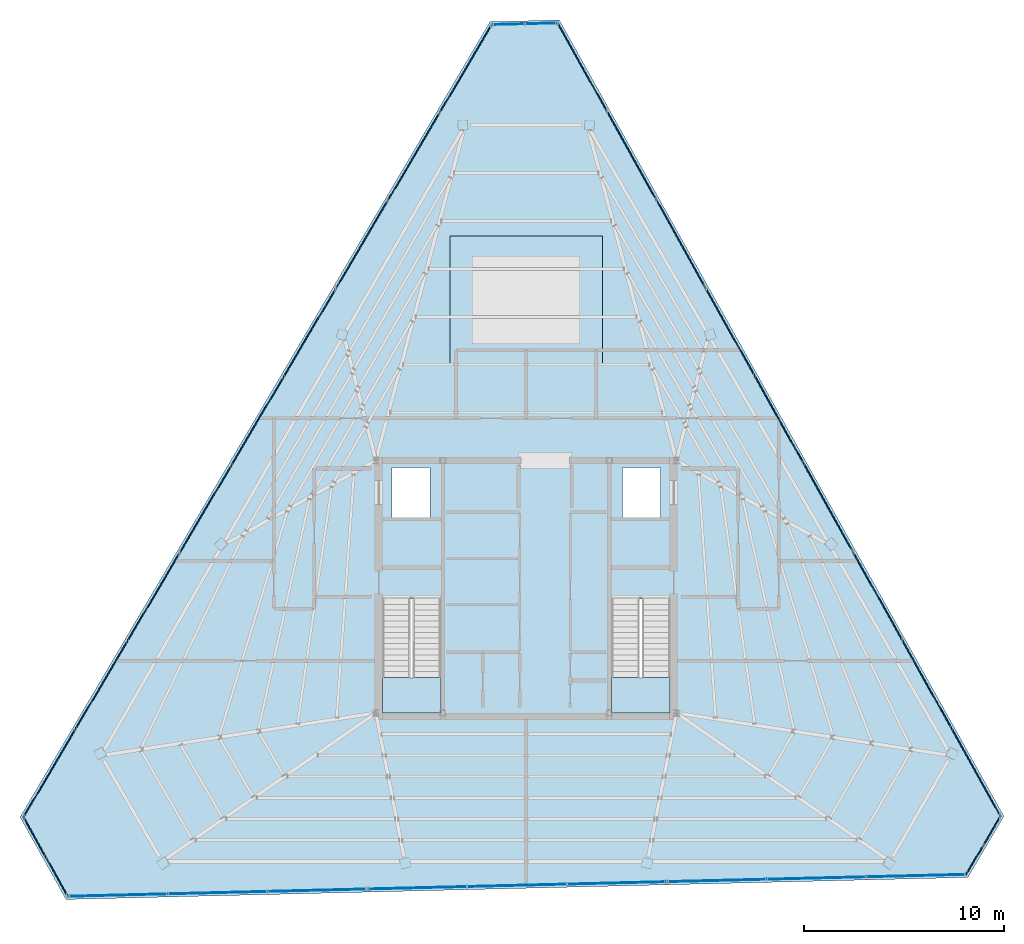
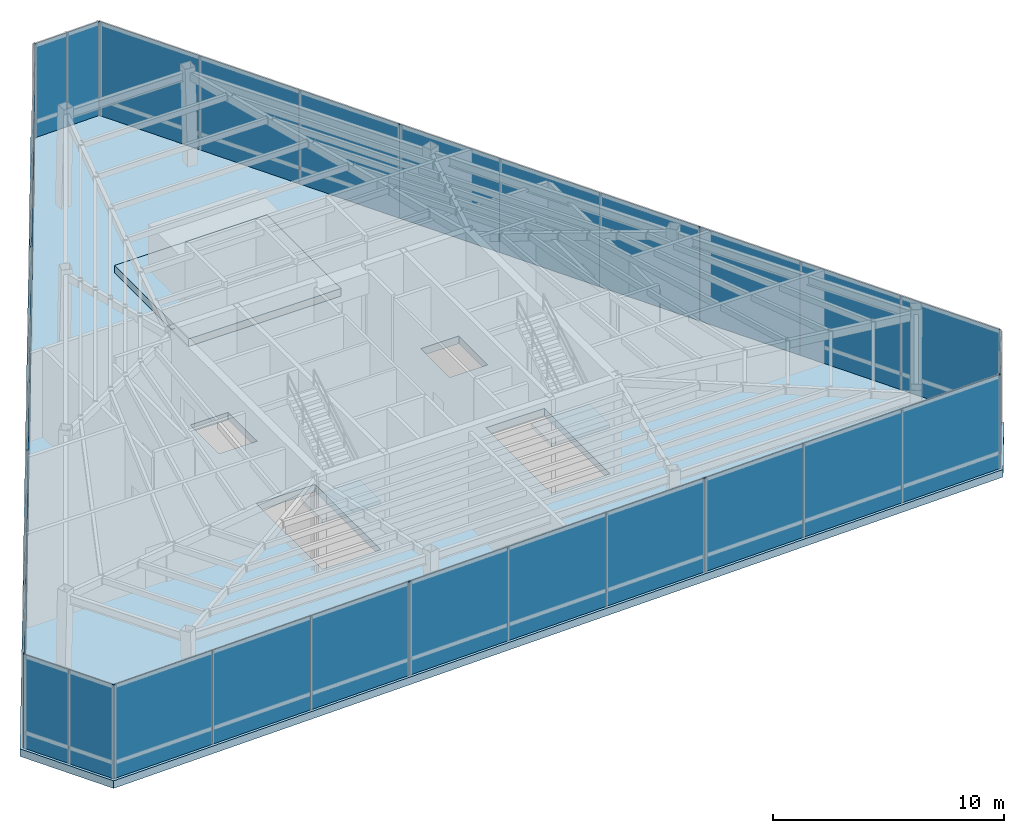
# One storey, part 18 of 25: 33 plates, 4 slabs, 14 elements without a shape of their own.
"""IFC4 building model written with IfcOpenShell, lengths in metres."""

import ifcopenshell
import ifcopenshell.guid

model = None  # the IFC model being written
_history = None  # IfcOwnerHistory: only IFC2X3 demands one
_inside = {}  # id of a spatial element -> (the spatial element, [elements in it])
_under = {}  # id of a project, library or spatial element -> (it, [spatial elements below it])
_declared = {}  # id of a project -> (the project, [libraries it declares])
_typed = {}  # id of a type object -> (the type object, [elements of that type])
_made_of = {}  # id of a material, layer set ... -> (it, [elements and type objects made of it])


def new_model(schema):
    """Start an empty IFC model of exactly this schema.

    Asked for "IFC4X3", IfcOpenShell would pick the latest addendum, in which some entities
    have other attributes; the version numbers below select the first issue.
    IFC2X3 requires an IfcOwnerHistory on every rooted entity: one is made here for all.
    """
    global model, _history
    if schema == "IFC4X3":
        model = ifcopenshell.file(schema_version=(4, 3, 0, 0))
    else:
        model = ifcopenshell.file(schema=schema)
    _inside.clear()
    _under.clear()
    _declared.clear()
    _typed.clear()
    _made_of.clear()
    _history = None
    if model.schema == "IFC2X3":
        org = make("IfcOrganization", Name="unknown")
        user = make(
            "IfcPersonAndOrganization",
            ThePerson=make("IfcPerson", FamilyName="unknown"),
            TheOrganization=org,
        )
        app = make(
            "IfcApplication",
            ApplicationDeveloper=org,
            Version="unknown",
            ApplicationFullName="unknown",
            ApplicationIdentifier="unknown",
        )
        _history = make(
            "IfcOwnerHistory",
            OwningUser=user,
            OwningApplication=app,
            ChangeAction="ADDED",
            CreationDate=0,
        )
    return model


def make(cls, **values):
    """One entity of the class cls with the attributes given. An attribute that is None is left unset."""
    return model.create_entity(
        cls, **{name: value for name, value in values.items() if value is not None}
    )


def rooted(cls, **values):
    """An entity with a GlobalId (a new one), such as an element, a storey or a relation."""
    return make(cls, GlobalId=ifcopenshell.guid.new(), OwnerHistory=_history, **values)


def si_unit(unit_type, name, prefix=None):
    """IfcSIUnit, for example si_unit("LENGTHUNIT", "METRE", prefix="MILLI")."""
    return make("IfcSIUnit", UnitType=unit_type, Prefix=prefix, Name=name)


def assignment(units):
    """IfcUnitAssignment: the units of a project."""
    return None if units is None else make("IfcUnitAssignment", Units=units)


def point(xyz):
    """IfcCartesianPoint."""
    return None if xyz is None else make("IfcCartesianPoint", Coordinates=xyz)


def direction(xyz):
    """IfcDirection."""
    return None if xyz is None else make("IfcDirection", DirectionRatios=xyz)


def frame(location, z_axis=None, x_axis=None):
    """IfcAxis2Placement3D, a coordinate frame: its origin and axes. An axis left out is left unset."""
    return make(
        "IfcAxis2Placement3D",
        Location=point(location),
        Axis=direction(z_axis),
        RefDirection=direction(x_axis),
    )


def frame_2d(location, x_axis=None):
    """IfcAxis2Placement2D, a coordinate frame in the plane: its origin and x axis."""
    return make(
        "IfcAxis2Placement2D", Location=point(location), RefDirection=direction(x_axis)
    )


def origin():
    """The frame at (0, 0, 0) with its axes left unset."""
    return frame((0.0, 0.0, 0.0))


def origin_2d():
    """The frame at (0, 0) in the plane with its x axis left unset."""
    return frame_2d((0.0, 0.0))


def place(relative_to, where):
    """IfcLocalPlacement: puts the frame where relative to a parent placement (None: the world)."""
    return make(
        "IfcLocalPlacement", PlacementRelTo=relative_to, RelativePlacement=where
    )


def context(
    kind, dimensions, precision=None, world=None, true_north=None, identifier=None
):
    """IfcGeometricRepresentationContext, for example the 3D "Model" context."""
    return make(
        "IfcGeometricRepresentationContext",
        ContextIdentifier=identifier,
        ContextType=kind,
        CoordinateSpaceDimension=dimensions,
        Precision=precision,
        WorldCoordinateSystem=world,
        TrueNorth=true_north,
    )


def subcontext(parent, identifier, kind, view, scale=None):
    """IfcGeometricRepresentationSubContext, for example "Body" below "Model"."""
    return make(
        "IfcGeometricRepresentationSubContext",
        ContextIdentifier=identifier,
        ContextType=kind,
        ParentContext=parent,
        TargetScale=scale,
        TargetView=view,
    )


def project(units=None, contexts=None):
    """IfcProject with its units and contexts."""
    return rooted(
        "IfcProject",
        Name="project",
        RepresentationContexts=contexts,
        UnitsInContext=assignment(units),
    )


def spatial(cls, under=None, at=None, **own):
    """A site, building, storey or space (cls), placed at a placement, below another one or the project."""
    s = rooted(cls, ObjectPlacement=at, **own)
    if under is not None:
        _under.setdefault(under.id(), (under, []))[1].append(s)
    return s


def polyline(points):
    """IfcPolyline through the points."""
    return make("IfcPolyline", Points=[point(p) for p in points])


def profile(cls, at=None, kind="AREA", **sizes):
    """A parametric profile (cls). Its sizes go by their IFC names, for example OverallWidth=200.0."""
    return make(cls, ProfileType=kind, Position=at, **sizes)


def rectangle(**sizes):
    """IfcRectangleProfileDef."""
    return profile("IfcRectangleProfileDef", **sizes)


def outline(outer, holes=None, kind="AREA"):
    """IfcArbitraryClosedProfileDef: a profile drawn as a closed curve; with holes, ...WithVoids."""
    if holes is None:
        return make("IfcArbitraryClosedProfileDef", ProfileType=kind, OuterCurve=outer)
    return make(
        "IfcArbitraryProfileDefWithVoids",
        ProfileType=kind,
        OuterCurve=outer,
        InnerCurves=holes,
    )


def extrude(swept, where, along, depth):
    """IfcExtrudedAreaSolid: the profile swept, set in the frame where, extruded along a direction by depth."""
    return make(
        "IfcExtrudedAreaSolid",
        SweptArea=swept,
        Position=where,
        ExtrudedDirection=direction(along),
        Depth=depth,
    )


def shape(context_of_items, identifier, shape_type, items):
    """IfcShapeRepresentation: the items that make up one representation, for example the "Body"."""
    return make(
        "IfcShapeRepresentation",
        ContextOfItems=context_of_items,
        RepresentationIdentifier=identifier,
        RepresentationType=shape_type,
        Items=items,
    )


def source(mapping_origin, context_of_items, identifier, shape_type, items):
    """IfcRepresentationMap: a shape defined once, which mapped items show again and again."""
    return make(
        "IfcRepresentationMap",
        MappingOrigin=mapping_origin,
        MappedRepresentation=shape(context_of_items, identifier, shape_type, items),
    )


def transform(
    local_origin,
    x_axis=None,
    y_axis=None,
    z_axis=None,
    scale=None,
    scale2=None,
    scale3=None,
    uniform=True,
):
    """IfcCartesianTransformationOperator3D, or its non-uniform kind. x_axis, y_axis, z_axis: its Axis1, 2, 3."""
    if uniform:
        return make(
            "IfcCartesianTransformationOperator3D",
            Axis1=direction(x_axis),
            Axis2=direction(y_axis),
            LocalOrigin=point(local_origin),
            Scale=scale,
            Axis3=direction(z_axis),
        )
    return make(
        "IfcCartesianTransformationOperator3DnonUniform",
        Axis1=direction(x_axis),
        Axis2=direction(y_axis),
        LocalOrigin=point(local_origin),
        Scale=scale,
        Axis3=direction(z_axis),
        Scale2=scale2,
        Scale3=scale3,
    )


def mapped(mapping_source, mapping_target):
    """IfcMappedItem: shows the shape of a source again, moved by a transform."""
    return make(
        "IfcMappedItem", MappingSource=mapping_source, MappingTarget=mapping_target
    )


def material(Name=None, Category=None):
    """IfcMaterial."""
    return make("IfcMaterial", Name=Name, Category=Category)


def layer(
    of_material, thickness, ventilated=None, Name=None, Category=None, Priority=None
):
    """IfcMaterialLayer: one layer of a wall or slab, of a material (None: an air gap)."""
    return make(
        "IfcMaterialLayer",
        Material=of_material,
        LayerThickness=thickness,
        IsVentilated=ventilated,
        Name=Name,
        Category=Category,
        Priority=Priority,
    )


def layer_set(layers, Name=None):
    """IfcMaterialLayerSet."""
    return make("IfcMaterialLayerSet", MaterialLayers=layers, LayerSetName=Name)


def made_of(thing, what):
    """Note that an element or type object is made of a material, layer set ...; save() writes the relation."""
    if what is not None:
        _made_of.setdefault(what.id(), (what, []))[1].append(thing)
    return thing


def type_object(cls, material=None, **own):
    """A type object (cls), such as IfcWallType, which elements share."""
    return made_of(rooted(cls, **own), material)


def type_shapes(of_type, sources):
    """Give a type object the sources (RepresentationMaps) that its elements show as mapped items."""
    of_type.RepresentationMaps = sources


def element(
    cls,
    number,
    at=None,
    inside=None,
    cuts=None,
    type_object=None,
    material=None,
    context=None,
    identifier="Body",
    shape_type=None,
    held_by="IfcProductDefinitionShape",
    body=None,
    shapes=None,
    **own,
):
    """One element of the class cls, such as IfcWall. Its Tag is "e" and its number.

    at: its placement. inside: the storey or other place that contains it. cuts: it is an
    opening in that element (IfcRelVoidsElement). A single representation is given by context,
    identifier, shape_type and body (its items); several are given by shapes. held_by: the class
    of the entity that holds the representations. save() writes the other relations.
    """
    e = rooted(cls, Tag="e%d" % number, ObjectPlacement=at, **own)
    if body is not None:
        shapes = [shape(context, identifier, shape_type, body)]
    if shapes is not None:
        e.Representation = make(held_by, Representations=shapes)
    if inside is not None:
        _inside.setdefault(inside.id(), (inside, []))[1].append(e)
    if cuts is not None:
        rooted(
            "IfcRelVoidsElement", RelatingBuildingElement=cuts, RelatedOpeningElement=e
        )
    if type_object is not None:
        _typed.setdefault(type_object.id(), (type_object, []))[1].append(e)
    return made_of(e, material)


def aggregate(whole, parts):
    """IfcRelAggregates: a whole, such as a stair, and the parts it consists of."""
    return rooted("IfcRelAggregates", RelatingObject=whole, RelatedObjects=parts)


def save(model, path):
    """Write the relations noted so far, then the file.

    IfcRelAggregates (storeys below a building ...), IfcRelContainedInSpatialStructure (elements
    in a storey), IfcRelDefinesByType, IfcRelAssociatesMaterial and IfcRelDeclares: one each for
    every whole, place, type object, material and project.
    """
    for whole, parts in _under.values():
        aggregate(whole, parts)
    for where, things in _inside.values():
        rooted(
            "IfcRelContainedInSpatialStructure",
            RelatedElements=things,
            RelatingStructure=where,
        )
    for kind, things in _typed.values():
        rooted("IfcRelDefinesByType", RelatedObjects=things, RelatingType=kind)
    for what, things in _made_of.values():
        rooted("IfcRelAssociatesMaterial", RelatedObjects=things, RelatingMaterial=what)
    for by, libraries in _declared.values():
        rooted("IfcRelDeclares", RelatingContext=by, RelatedDefinitions=libraries)
    model.write(path)


model = new_model("IFC4")

# Units and contexts
model_context = context("Model", 3, precision=1e-05, world=origin(), true_north=direction((0.0, 1.0)))
body_context = subcontext(model_context, "Body", "Model", "MODEL_VIEW")
ifc_project = project(units=[si_unit("LENGTHUNIT", "METRE"), si_unit("AREAUNIT", "SQUARE_METRE"), si_unit("VOLUMEUNIT", "CUBIC_METRE"), si_unit("PLANEANGLEUNIT", "RADIAN"), si_unit("MASSUNIT", "GRAM", prefix="KILO")], contexts=[model_context])

# Site, building, storey
site_placement = place(None, origin())
site = spatial("IfcSite", under=ifc_project, at=site_placement, CompositionType="ELEMENT")
building_placement = place(site_placement, origin())
building = spatial("IfcBuilding", under=site, at=building_placement, Name="Caelisora Broadcast Tower", CompositionType="ELEMENT")
storey_placement = place(building_placement, frame((0.0, 0.0, 284.60009765625)))
storey = spatial("IfcBuildingStorey", under=building, at=storey_placement, Name="L75", CompositionType="ELEMENT", Elevation=284.60009765625)

# Slabs
ifc_material_1 = material(Name="Concrete 50 MPa (AS 3600 S50)", Category="concrete")
ifc_layer_1 = layer(ifc_material_1, 0.39990234375, Name="Concrete 50 MPa (AS 3600 S50)")
ifc_layer_set_1 = layer_set([ifc_layer_1], Name="Concrete 50 MPa (AS 3600 S50)")
slab_type_1 = type_object("IfcSlabType", Name="SL03", PredefinedType="FLOOR", material=ifc_layer_set_1)
slab_1_placement = place(storey_placement, frame((0.0, 0.0, -0.400146484375)))
element("IfcSlab", 1, at=slab_1_placement, inside=storey, type_object=slab_type_1, Name="L75 suspended floor SL03", PredefinedType="FLOOR", context=body_context, shape_type="SweptSolid", body=[
    extrude(outline(polyline([(39.657958984375, 51.98095703125), (36.196044921875, 51.89697265625), (12.741943359375, 12.202880859375), (15.037109375, 8.092041015625), (60.04296875, 9.18994140625), (61.846923828125, 12.243896484375), (39.657958984375, 51.98095703125)]), holes=[polyline([(30.820068359375, 17.39990234375), (33.739990234375, 17.39990234375), (33.739990234375, 23.080078125), (30.820068359375, 23.080078125), (30.820068359375, 17.39990234375)]), polyline([(42.260009765625, 17.39990234375), (45.179931640625, 17.39990234375), (45.179931640625, 23.080078125), (42.260009765625, 23.080078125), (42.260009765625, 17.39990234375)]), polyline([(42.800048828125, 27.14990234375), (44.699951171875, 27.14990234375), (44.699951171875, 29.64990234375), (42.800048828125, 29.64990234375), (42.800048828125, 27.14990234375)]), polyline([(31.300048828125, 27.14990234375), (33.199951171875, 27.14990234375), (33.199951171875, 29.64990234375), (31.300048828125, 29.64990234375), (31.300048828125, 27.14990234375)])]), origin(), (0.0, 0.0, 1.0), 0.400146484375),
])
slab_2_placement = place(storey_placement, origin())
element("IfcSlab", 2, at=slab_2_placement, inside=storey, type_object=slab_type_1, Name="L75 tuned mass damper snubber plinth SL03", PredefinedType="FLOOR", context=body_context, shape_type="SweptSolid", body=[
    extrude(outline(polyline([(34.199951171875, 34.800048828125), (41.800048828125, 34.800048828125), (41.800048828125, 41.199951171875), (34.199951171875, 41.199951171875), (34.199951171875, 34.800048828125)])), origin(), (0.0, 0.0, 1.0), 0.39990234375),
])

# Stair, slab
ifc_material_2 = material(Name="Concrete 40 MPa (AS 3600 N40)", Category="concrete")
stair_type_1 = type_object("IfcStairType", Name="ST-1", PredefinedType="HALF_TURN_STAIR", material=ifc_material_2)
stair_1_placement = place(storey_placement, origin())
stair_1 = element("IfcStair", 3, at=stair_1_placement, inside=storey, type_object=stair_type_1, Name="L75 West Fire-Isolated Tower Stair", PredefinedType="HALF_TURN_STAIR")
ifc_layer_2 = layer(ifc_material_2, 0.199951171875, Name="Concrete 40 MPa (AS 3600 N40)")
ifc_layer_set_2 = layer_set([ifc_layer_2], Name="Concrete 40 MPa (AS 3600 N40)")
slab_type_2 = type_object("IfcSlabType", Name="STL-1", PredefinedType="LANDING", material=ifc_layer_set_2)
slab_3_placement = place(storey_placement, frame((0.0, 0.0, 2.39990234375)))
slab_3 = element("IfcSlab", 4, at=slab_3_placement, type_object=slab_type_2, Name="ST-1 landing 1", PredefinedType="LANDING", context=body_context, shape_type="SweptSolid", body=[
    extrude(outline(polyline([(30.820068359375, 19.179931640625), (30.820068359375, 17.39990234375), (33.739990234375, 17.39990234375), (33.739990234375, 19.179931640625), (30.820068359375, 19.179931640625)])), origin(), (0.0, 0.0, 1.0), 0.199951171875),
])
aggregate(stair_1, [slab_3])

stair_type_2 = type_object("IfcStairType", Name="ST-2", PredefinedType="HALF_TURN_STAIR", material=ifc_material_2)
stair_2_placement = place(storey_placement, origin())
stair_2 = element("IfcStair", 5, at=stair_2_placement, inside=storey, type_object=stair_type_2, Name="L75 East Fire-Isolated Tower Stair", PredefinedType="HALF_TURN_STAIR")
slab_4_placement = place(storey_placement, frame((0.0, 0.0, 2.39990234375)))
slab_4 = element("IfcSlab", 6, at=slab_4_placement, type_object=slab_type_2, Name="ST-2 landing 1", PredefinedType="LANDING", context=body_context, shape_type="SweptSolid", body=[
    extrude(outline(polyline([(42.260009765625, 19.179931640625), (42.260009765625, 17.39990234375), (45.179931640625, 17.39990234375), (45.179931640625, 19.179931640625), (42.260009765625, 19.179931640625)])), origin(), (0.0, 0.0, 1.0), 0.199951171875),
])
aggregate(stair_2, [slab_4])

# Curtain wall, plates
ifc_material_3 = material(Name="Unitised Aluminium and Low-E Glass Curtain Wall", Category="glass")
curtain_wall_type = type_object("IfcCurtainWallType", Name="CW-TMD", PredefinedType="NOTDEFINED", material=ifc_material_3)
curtain_wall_1_placement = place(storey_placement, origin())
curtain_wall_1 = element("IfcCurtainWall", 7, at=curtain_wall_1_placement, inside=storey, type_object=curtain_wall_type, Name="L75 curtain wall CW-TMD", PredefinedType="NOTDEFINED")
ifc_material_4 = material(Name="Double Glazed Low-E Argon IGU", Category="glass")
ifc_layer_3 = layer(ifc_material_4, 0.0458984375, Name="Double Glazed Low-E Argon IGU")
ifc_layer_set_3 = layer_set([ifc_layer_3], Name="Double Glazed Low-E Argon IGU")
plate_type = type_object("IfcPlateType", Name="CWP-09", PredefinedType="CURTAIN_PANEL", material=ifc_layer_set_3)
shared_shape_1 = source(origin(), body_context, "Body", "SweptSolid", [
    extrude(rectangle(XDim=5.03564453125, YDim=0.0458984375, at=origin_2d()), origin(), (0.0, 0.0, 1.0), 4.949951171875),
])
plate_1_placement = place(storey_placement, frame((40.798583984375, 49.630615234375, 0.0), z_axis=(0.0, 0.0, 1.0), x_axis=(0.487554922136, -0.873092319232, 0.0)))
plate_1 = element("IfcPlate", 8, at=plate_1_placement, type_object=plate_type, Name="L75-CW-B01 glazed panel #1", PredefinedType="CURTAIN_PANEL", context=body_context, shape_type="MappedRepresentation", body=[
    mapped(shared_shape_1, transform((0.0, 0.0, 0.0), scale=1.0)),
])
plate_2_placement = place(storey_placement, frame((43.253662109375, 45.23388671875, 0.0), z_axis=(0.0, 0.0, 1.0), x_axis=(0.487554922136, -0.873092319232, 0.0)))
plate_2 = element("IfcPlate", 9, at=plate_2_placement, type_object=plate_type, Name="L75-CW-B01 glazed panel #2", PredefinedType="CURTAIN_PANEL", context=body_context, shape_type="MappedRepresentation", body=[
    mapped(shared_shape_1, transform((0.0, 0.0, 0.0), scale=1.0)),
])
plate_3_placement = place(storey_placement, frame((45.708740234375, 40.83740234375, 0.0), z_axis=(0.0, 0.0, 1.0), x_axis=(0.487554922136, -0.873092319232, 0.0)))
plate_3 = element("IfcPlate", 10, at=plate_3_placement, type_object=plate_type, Name="L75-CW-B01 glazed panel #3", PredefinedType="CURTAIN_PANEL", context=body_context, shape_type="MappedRepresentation", body=[
    mapped(shared_shape_1, transform((0.0, 0.0, 0.0), scale=1.0)),
])
aggregate(curtain_wall_1, [plate_1, plate_2, plate_3])

curtain_wall_2_placement = place(storey_placement, origin())
curtain_wall_2 = element("IfcCurtainWall", 11, at=curtain_wall_2_placement, inside=storey, type_object=curtain_wall_type, Name="L75 curtain wall CW-TMD", PredefinedType="NOTDEFINED")
plate_4_placement = place(storey_placement, frame((55.536376953125, 23.237548828125, 0.0), z_axis=(0.0, 0.0, 1.0), x_axis=(0.487554922136, -0.873092319232, 0.0)))
plate_4 = element("IfcPlate", 12, at=plate_4_placement, type_object=plate_type, Name="L75-CW-B03 glazed panel #1", PredefinedType="CURTAIN_PANEL", context=body_context, shape_type="MappedRepresentation", body=[
    mapped(shared_shape_1, transform((0.0, 0.0, 0.0), scale=1.0)),
])
plate_5_placement = place(storey_placement, frame((57.991455078125, 18.841064453125, 0.0), z_axis=(0.0, 0.0, 1.0), x_axis=(0.487554922136, -0.873092319232, 0.0)))
plate_5 = element("IfcPlate", 13, at=plate_5_placement, type_object=plate_type, Name="L75-CW-B03 glazed panel #2", PredefinedType="CURTAIN_PANEL", context=body_context, shape_type="MappedRepresentation", body=[
    mapped(shared_shape_1, transform((0.0, 0.0, 0.0), scale=1.0)),
])
plate_6_placement = place(storey_placement, frame((60.446533203125, 14.4443359375, 0.0), z_axis=(0.0, 0.0, 1.0), x_axis=(0.487554922136, -0.873092319232, 0.0)))
plate_6 = element("IfcPlate", 14, at=plate_6_placement, type_object=plate_type, Name="L75-CW-B03 glazed panel #3", PredefinedType="CURTAIN_PANEL", context=body_context, shape_type="MappedRepresentation", body=[
    mapped(shared_shape_1, transform((0.0, 0.0, 0.0), scale=1.0)),
])
aggregate(curtain_wall_2, [plate_4, plate_5, plate_6])

curtain_wall_3_placement = place(storey_placement, origin())
curtain_wall_3 = element("IfcCurtainWall", 15, at=curtain_wall_3_placement, inside=storey, type_object=curtain_wall_type, Name="L75 curtain wall CW-TMD", PredefinedType="NOTDEFINED")
shared_shape_2 = source(origin(), body_context, "Body", "SweptSolid", [
    extrude(rectangle(XDim=5.033935546875, YDim=0.0458984375, at=origin_2d()), origin(), (0.0, 0.0, 1.0), 4.949951171875),
])
plate_7_placement = place(storey_placement, frame((48.168212890625, 36.4326171875, 0.0), z_axis=(0.0, 0.0, 1.0), x_axis=(0.487554922136, -0.873092319232, 0.0)))
plate_7 = element("IfcPlate", 16, at=plate_7_placement, type_object=plate_type, Name="L75-CW-B02 glazed panel #1", PredefinedType="CURTAIN_PANEL", context=body_context, shape_type="MappedRepresentation", body=[
    mapped(shared_shape_2, transform((0.0, 0.0, 0.0), scale=1.0)),
])
plate_8_placement = place(storey_placement, frame((50.62255859375, 32.03759765625, 0.0), z_axis=(0.0, 0.0, 1.0), x_axis=(0.487554922136, -0.873092319232, 0.0)))
plate_8 = element("IfcPlate", 17, at=plate_8_placement, type_object=plate_type, Name="L75-CW-B02 glazed panel #2", PredefinedType="CURTAIN_PANEL", context=body_context, shape_type="MappedRepresentation", body=[
    mapped(shared_shape_2, transform((0.0, 0.0, 0.0), scale=1.0)),
])
plate_9_placement = place(storey_placement, frame((53.076904296875, 27.642333984375, 0.0), z_axis=(0.0, 0.0, 1.0), x_axis=(0.487554922136, -0.873092319232, 0.0)))
plate_9 = element("IfcPlate", 18, at=plate_9_placement, type_object=plate_type, Name="L75-CW-B02 glazed panel #3", PredefinedType="CURTAIN_PANEL", context=body_context, shape_type="MappedRepresentation", body=[
    mapped(shared_shape_2, transform((0.0, 0.0, 0.0), scale=1.0)),
])
aggregate(curtain_wall_3, [plate_7, plate_8, plate_9])

curtain_wall_4_placement = place(storey_placement, origin())
curtain_wall_4 = element("IfcCurtainWall", 19, at=curtain_wall_4_placement, inside=storey, type_object=curtain_wall_type, Name="L75 curtain wall CW-TMD", PredefinedType="NOTDEFINED")
shared_shape_3 = source(origin(), body_context, "Body", "SweptSolid", [
    extrude(rectangle(XDim=1.688720703125, YDim=0.0458984375, at=origin_2d()), origin(), (0.0, 0.0, 1.0), 4.949951171875),
])
plate_10_placement = place(storey_placement, frame((61.244384765625, 11.51904296875, 0.0), z_axis=(0.0, 0.0, 1.0), x_axis=(-0.508590662521, -0.861008442465, 0.0)))
plate_10 = element("IfcPlate", 20, at=plate_10_placement, type_object=plate_type, Name="L75-CW-B00 glazed panel #1", PredefinedType="CURTAIN_PANEL", context=body_context, shape_type="MappedRepresentation", body=[
    mapped(shared_shape_3, transform((0.0, 0.0, 0.0), scale=1.0)),
])
plate_11_placement = place(storey_placement, frame((60.385498046875, 10.06494140625, 0.0), z_axis=(0.0, 0.0, 1.0), x_axis=(-0.508590662521, -0.861008442465, 0.0)))
plate_11 = element("IfcPlate", 21, at=plate_11_placement, type_object=plate_type, Name="L75-CW-B00 glazed panel #2", PredefinedType="CURTAIN_PANEL", context=body_context, shape_type="MappedRepresentation", body=[
    mapped(shared_shape_3, transform((0.0, 0.0, 0.0), scale=1.0)),
])
aggregate(curtain_wall_4, [plate_10, plate_11])

curtain_wall_5_placement = place(storey_placement, origin())
curtain_wall_5 = element("IfcCurtainWall", 22, at=curtain_wall_5_placement, inside=storey, type_object=curtain_wall_type, Name="L75 curtain wall CW-TMD", PredefinedType="NOTDEFINED")
shared_shape_4 = source(origin(), body_context, "Body", "SweptSolid", [
    extrude(rectangle(XDim=4.981201171875, YDim=0.0458984375, at=origin_2d()), origin(), (0.0, 0.0, 1.0), 4.949951171875),
])
plate_12_placement = place(storey_placement, frame((57.46630859375, 9.277099609375, 0.0), z_axis=(0.0, 0.0, 1.0), x_axis=(-0.999701489781, -0.024432178153, 0.0)))
plate_12 = element("IfcPlate", 23, at=plate_12_placement, type_object=plate_type, Name="L75-CW-B05 glazed panel #1", PredefinedType="CURTAIN_PANEL", context=body_context, shape_type="MappedRepresentation", body=[
    mapped(shared_shape_4, transform((0.0, 0.0, 0.0), scale=1.0)),
])
plate_13_placement = place(storey_placement, frame((52.486572265625, 9.15576171875, 0.0), z_axis=(0.0, 0.0, 1.0), x_axis=(-0.999701489781, -0.024432178153, 0.0)))
plate_13 = element("IfcPlate", 24, at=plate_13_placement, type_object=plate_type, Name="L75-CW-B05 glazed panel #2", PredefinedType="CURTAIN_PANEL", context=body_context, shape_type="MappedRepresentation", body=[
    mapped(shared_shape_4, transform((0.0, 0.0, 0.0), scale=1.0)),
])
plate_14_placement = place(storey_placement, frame((47.5068359375, 9.0341796875, 0.0), z_axis=(0.0, 0.0, 1.0), x_axis=(-0.999701489781, -0.024432178153, 0.0)))
plate_14 = element("IfcPlate", 25, at=plate_14_placement, type_object=plate_type, Name="L75-CW-B05 glazed panel #3", PredefinedType="CURTAIN_PANEL", context=body_context, shape_type="MappedRepresentation", body=[
    mapped(shared_shape_4, transform((0.0, 0.0, 0.0), scale=1.0)),
])
aggregate(curtain_wall_5, [plate_12, plate_13, plate_14])

curtain_wall_6_placement = place(storey_placement, origin())
curtain_wall_6 = element("IfcCurtainWall", 26, at=curtain_wall_6_placement, inside=storey, type_object=curtain_wall_type, Name="L75 curtain wall CW-TMD", PredefinedType="NOTDEFINED")
plate_15_placement = place(storey_placement, frame((27.5732421875, 8.5478515625, 0.0), z_axis=(0.0, 0.0, 1.0), x_axis=(-0.999701489781, -0.024432178153, 0.0)))
plate_15 = element("IfcPlate", 27, at=plate_15_placement, type_object=plate_type, Name="L75-CW-B07 glazed panel #1", PredefinedType="CURTAIN_PANEL", context=body_context, shape_type="MappedRepresentation", body=[
    mapped(shared_shape_4, transform((0.0, 0.0, 0.0), scale=1.0)),
])
plate_16_placement = place(storey_placement, frame((22.593505859375, 8.42626953125, 0.0), z_axis=(0.0, 0.0, 1.0), x_axis=(-0.999701489781, -0.024432178153, 0.0)))
plate_16 = element("IfcPlate", 28, at=plate_16_placement, type_object=plate_type, Name="L75-CW-B07 glazed panel #2", PredefinedType="CURTAIN_PANEL", context=body_context, shape_type="MappedRepresentation", body=[
    mapped(shared_shape_4, transform((0.0, 0.0, 0.0), scale=1.0)),
])
plate_17_placement = place(storey_placement, frame((17.61376953125, 8.3046875, 0.0), z_axis=(0.0, 0.0, 1.0), x_axis=(-0.999701489781, -0.024432178153, 0.0)))
plate_17 = element("IfcPlate", 29, at=plate_17_placement, type_object=plate_type, Name="L75-CW-B07 glazed panel #3", PredefinedType="CURTAIN_PANEL", context=body_context, shape_type="MappedRepresentation", body=[
    mapped(shared_shape_4, transform((0.0, 0.0, 0.0), scale=1.0)),
])
aggregate(curtain_wall_6, [plate_15, plate_16, plate_17])

curtain_wall_7_placement = place(storey_placement, origin())
curtain_wall_7 = element("IfcCurtainWall", 30, at=curtain_wall_7_placement, inside=storey, type_object=curtain_wall_type, Name="L75 curtain wall CW-TMD", PredefinedType="NOTDEFINED")
shared_shape_5 = source(origin(), body_context, "Body", "SweptSolid", [
    extrude(rectangle(XDim=4.9794921875, YDim=0.0458984375, at=origin_2d()), origin(), (0.0, 0.0, 1.0), 4.949951171875),
])
plate_18_placement = place(storey_placement, frame((42.51806640625, 8.91259765625, 0.0), z_axis=(0.0, 0.0, 1.0), x_axis=(-0.999701489781, -0.024432178153, 0.0)))
plate_18 = element("IfcPlate", 31, at=plate_18_placement, type_object=plate_type, Name="L75-CW-B06 glazed panel #1", PredefinedType="CURTAIN_PANEL", context=body_context, shape_type="MappedRepresentation", body=[
    mapped(shared_shape_5, transform((0.0, 0.0, 0.0), scale=1.0)),
])
plate_19_placement = place(storey_placement, frame((37.5400390625, 8.791015625, 0.0), z_axis=(0.0, 0.0, 1.0), x_axis=(-0.999701489781, -0.024432178153, 0.0)))
plate_19 = element("IfcPlate", 32, at=plate_19_placement, type_object=plate_type, Name="L75-CW-B06 glazed panel #2", PredefinedType="CURTAIN_PANEL", context=body_context, shape_type="MappedRepresentation", body=[
    mapped(shared_shape_5, transform((0.0, 0.0, 0.0), scale=1.0)),
])
plate_20_placement = place(storey_placement, frame((32.56201171875, 8.66943359375, 0.0), z_axis=(0.0, 0.0, 1.0), x_axis=(-0.999701489781, -0.024432178153, 0.0)))
plate_20 = element("IfcPlate", 33, at=plate_20_placement, type_object=plate_type, Name="L75-CW-B06 glazed panel #3", PredefinedType="CURTAIN_PANEL", context=body_context, shape_type="MappedRepresentation", body=[
    mapped(shared_shape_5, transform((0.0, 0.0, 0.0), scale=1.0)),
])
aggregate(curtain_wall_7, [plate_18, plate_19, plate_20])

curtain_wall_8_placement = place(storey_placement, origin())
curtain_wall_8 = element("IfcCurtainWall", 34, at=curtain_wall_8_placement, inside=storey, type_object=curtain_wall_type, Name="L75 curtain wall CW-TMD", PredefinedType="NOTDEFINED")
shared_shape_6 = source(origin(), body_context, "Body", "SweptSolid", [
    extrude(rectangle(XDim=2.265869140625, YDim=0.0458984375, at=origin_2d()), origin(), (0.0, 0.0, 1.0), 4.949951171875),
])
plate_21_placement = place(storey_placement, frame((14.57177734375, 9.233154296875, 0.0), z_axis=(0.0, 0.0, 1.0), x_axis=(-0.487402531354, 0.87317740032, 0.0)))
plate_21 = element("IfcPlate", 35, at=plate_21_placement, type_object=plate_type, Name="L75-CW-B04 glazed panel #1", PredefinedType="CURTAIN_PANEL", context=body_context, shape_type="MappedRepresentation", body=[
    mapped(shared_shape_6, transform((0.0, 0.0, 0.0), scale=1.0)),
])
plate_22_placement = place(storey_placement, frame((13.46728515625, 11.2119140625, 0.0), z_axis=(0.0, 0.0, 1.0), x_axis=(-0.487402531354, 0.87317740032, 0.0)))
plate_22 = element("IfcPlate", 36, at=plate_22_placement, type_object=plate_type, Name="L75-CW-B04 glazed panel #2", PredefinedType="CURTAIN_PANEL", context=body_context, shape_type="MappedRepresentation", body=[
    mapped(shared_shape_6, transform((0.0, 0.0, 0.0), scale=1.0)),
])
aggregate(curtain_wall_8, [plate_21, plate_22])

curtain_wall_9_placement = place(storey_placement, origin())
curtain_wall_9 = element("IfcCurtainWall", 37, at=curtain_wall_9_placement, inside=storey, type_object=curtain_wall_type, Name="L75 curtain wall CW-TMD", PredefinedType="NOTDEFINED")
shared_shape_7 = source(origin(), body_context, "Body", "SweptSolid", [
    extrude(rectangle(XDim=5.102294921875, YDim=0.0458984375, at=origin_2d()), origin(), (0.0, 0.0, 1.0), 4.949951171875),
])
plate_23_placement = place(storey_placement, frame((14.212890625, 14.3974609375, 0.0), z_axis=(0.0, 0.0, 1.0), x_axis=(0.508740929096, 0.860919663536, 0.0)))
plate_23 = element("IfcPlate", 38, at=plate_23_placement, type_object=plate_type, Name="L75-CW-B09 glazed panel #1", PredefinedType="CURTAIN_PANEL", context=body_context, shape_type="MappedRepresentation", body=[
    mapped(shared_shape_7, transform((0.0, 0.0, 0.0), scale=1.0)),
])
plate_24_placement = place(storey_placement, frame((16.808349609375, 18.790283203125, 0.0), z_axis=(0.0, 0.0, 1.0), x_axis=(0.508740929096, 0.860919663536, 0.0)))
plate_24 = element("IfcPlate", 39, at=plate_24_placement, type_object=plate_type, Name="L75-CW-B09 glazed panel #2", PredefinedType="CURTAIN_PANEL", context=body_context, shape_type="MappedRepresentation", body=[
    mapped(shared_shape_7, transform((0.0, 0.0, 0.0), scale=1.0)),
])
plate_25_placement = place(storey_placement, frame((19.404052734375, 23.18310546875, 0.0), z_axis=(0.0, 0.0, 1.0), x_axis=(0.508740929096, 0.860919663536, 0.0)))
plate_25 = element("IfcPlate", 40, at=plate_25_placement, type_object=plate_type, Name="L75-CW-B09 glazed panel #3", PredefinedType="CURTAIN_PANEL", context=body_context, shape_type="MappedRepresentation", body=[
    mapped(shared_shape_7, transform((0.0, 0.0, 0.0), scale=1.0)),
])
aggregate(curtain_wall_9, [plate_23, plate_24, plate_25])

curtain_wall_10_placement = place(storey_placement, origin())
curtain_wall_10 = element("IfcCurtainWall", 41, at=curtain_wall_10_placement, inside=storey, type_object=curtain_wall_type, Name="L75 curtain wall CW-TMD", PredefinedType="NOTDEFINED")
plate_26_placement = place(storey_placement, frame((29.7939453125, 40.76708984375, 0.0), z_axis=(0.0, 0.0, 1.0), x_axis=(0.508740929096, 0.860919663536, 0.0)))
plate_26 = element("IfcPlate", 42, at=plate_26_placement, type_object=plate_type, Name="L75-CW-B11 glazed panel #1", PredefinedType="CURTAIN_PANEL", context=body_context, shape_type="MappedRepresentation", body=[
    mapped(shared_shape_7, transform((0.0, 0.0, 0.0), scale=1.0)),
])
plate_27_placement = place(storey_placement, frame((32.3896484375, 45.159912109375, 0.0), z_axis=(0.0, 0.0, 1.0), x_axis=(0.508740929096, 0.860919663536, 0.0)))
plate_27 = element("IfcPlate", 43, at=plate_27_placement, type_object=plate_type, Name="L75-CW-B11 glazed panel #2", PredefinedType="CURTAIN_PANEL", context=body_context, shape_type="MappedRepresentation", body=[
    mapped(shared_shape_7, transform((0.0, 0.0, 0.0), scale=1.0)),
])
plate_28_placement = place(storey_placement, frame((34.985107421875, 49.552490234375, 0.0), z_axis=(0.0, 0.0, 1.0), x_axis=(0.508740929096, 0.860919663536, 0.0)))
plate_28 = element("IfcPlate", 44, at=plate_28_placement, type_object=plate_type, Name="L75-CW-B11 glazed panel #3", PredefinedType="CURTAIN_PANEL", context=body_context, shape_type="MappedRepresentation", body=[
    mapped(shared_shape_7, transform((0.0, 0.0, 0.0), scale=1.0)),
])
aggregate(curtain_wall_10, [plate_26, plate_27, plate_28])

curtain_wall_11_placement = place(storey_placement, origin())
curtain_wall_11 = element("IfcCurtainWall", 45, at=curtain_wall_11_placement, inside=storey, type_object=curtain_wall_type, Name="L75 curtain wall CW-TMD", PredefinedType="NOTDEFINED")
shared_shape_8 = source(origin(), body_context, "Body", "SweptSolid", [
    extrude(rectangle(XDim=5.1005859375, YDim=0.0458984375, at=origin_2d()), origin(), (0.0, 0.0, 1.0), 4.949951171875),
])
plate_29_placement = place(storey_placement, frame((22.00439453125, 27.58349609375, 0.0), z_axis=(0.0, 0.0, 1.0), x_axis=(0.508740929096, 0.860919663536, 0.0)))
plate_29 = element("IfcPlate", 46, at=plate_29_placement, type_object=plate_type, Name="L75-CW-B10 glazed panel #1", PredefinedType="CURTAIN_PANEL", context=body_context, shape_type="MappedRepresentation", body=[
    mapped(shared_shape_8, transform((0.0, 0.0, 0.0), scale=1.0)),
])
plate_30_placement = place(storey_placement, frame((24.59912109375, 31.97509765625, 0.0), z_axis=(0.0, 0.0, 1.0), x_axis=(0.508740929096, 0.860919663536, 0.0)))
plate_30 = element("IfcPlate", 47, at=plate_30_placement, type_object=plate_type, Name="L75-CW-B10 glazed panel #2", PredefinedType="CURTAIN_PANEL", context=body_context, shape_type="MappedRepresentation", body=[
    mapped(shared_shape_8, transform((0.0, 0.0, 0.0), scale=1.0)),
])
plate_31_placement = place(storey_placement, frame((27.193603515625, 36.366455078125, 0.0), z_axis=(0.0, 0.0, 1.0), x_axis=(0.508740929096, 0.860919663536, 0.0)))
plate_31 = element("IfcPlate", 48, at=plate_31_placement, type_object=plate_type, Name="L75-CW-B10 glazed panel #3", PredefinedType="CURTAIN_PANEL", context=body_context, shape_type="MappedRepresentation", body=[
    mapped(shared_shape_8, transform((0.0, 0.0, 0.0), scale=1.0)),
])
aggregate(curtain_wall_11, [plate_29, plate_30, plate_31])

curtain_wall_12_placement = place(storey_placement, origin())
curtain_wall_12 = element("IfcCurtainWall", 49, at=curtain_wall_12_placement, inside=storey, type_object=curtain_wall_type, Name="L75 curtain wall CW-TMD", PredefinedType="NOTDEFINED")
shared_shape_9 = source(origin(), body_context, "Body", "SweptSolid", [
    extrude(rectangle(XDim=1.64453125, YDim=0.0458984375, at=origin_2d()), origin(), (0.0, 0.0, 1.0), 4.949951171875),
])
type_shapes(plate_type, [shared_shape_1, shared_shape_2, shared_shape_3, shared_shape_4, shared_shape_5, shared_shape_6, shared_shape_7, shared_shape_8, shared_shape_9])
plate_32_placement = place(storey_placement, frame((37.10498046875, 51.76904296875, 0.0), z_axis=(0.0, 0.0, 1.0), x_axis=(0.999705738774, 0.024257696956, 0.0)))
plate_32 = element("IfcPlate", 50, at=plate_32_placement, type_object=plate_type, Name="L75-CW-B08 glazed panel #1", PredefinedType="CURTAIN_PANEL", context=body_context, shape_type="MappedRepresentation", body=[
    mapped(shared_shape_9, transform((0.0, 0.0, 0.0), scale=1.0)),
])
plate_33_placement = place(storey_placement, frame((38.7490234375, 51.80908203125, 0.0), z_axis=(0.0, 0.0, 1.0), x_axis=(0.999705738774, 0.024257696956, 0.0)))
plate_33 = element("IfcPlate", 51, at=plate_33_placement, type_object=plate_type, Name="L75-CW-B08 glazed panel #2", PredefinedType="CURTAIN_PANEL", context=body_context, shape_type="MappedRepresentation", body=[
    mapped(shared_shape_9, transform((0.0, 0.0, 0.0), scale=1.0)),
])
aggregate(curtain_wall_12, [plate_32, plate_33])

save(model, "model.ifc")
